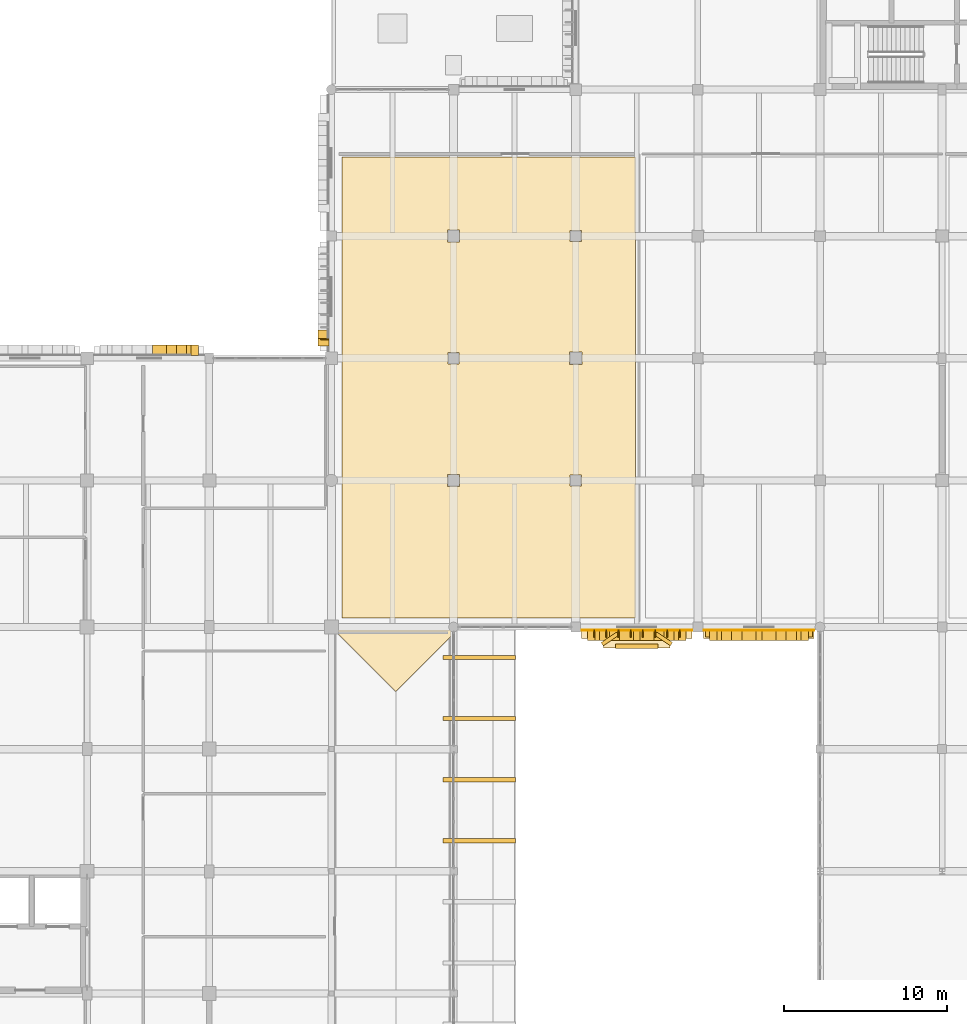
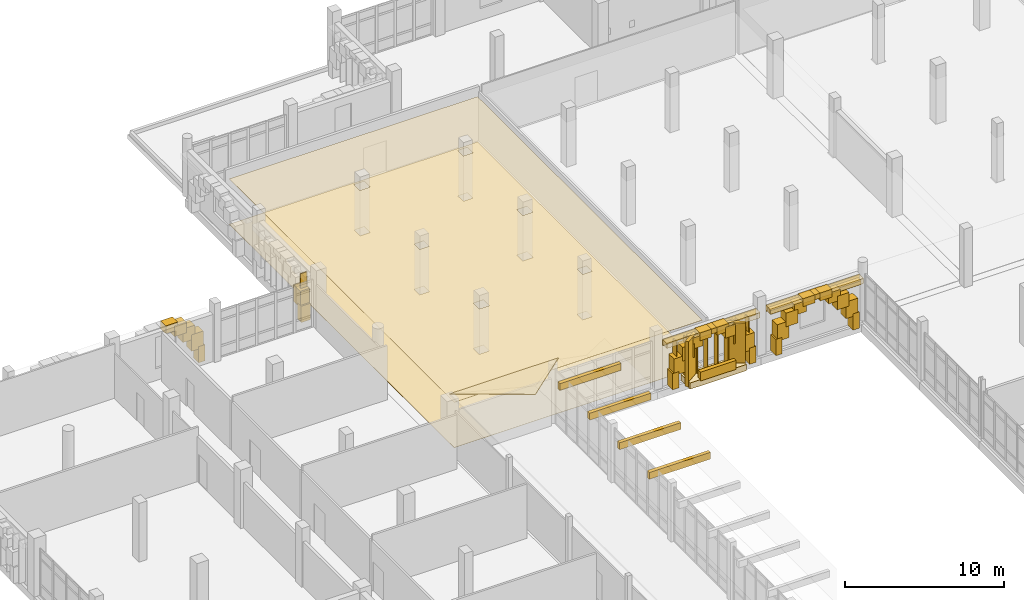
# One storey, part 116 of 128: 44 coverings, 10 shading devices.
"""IFC4 building model written with IfcOpenShell, lengths in metres."""

from ifc_helpers import new_model, si_unit, direction, frame, origin, origin_2d, place, context, subcontext, project, spatial, polyline, rectangle, outline, extrude, material, layer, layer_set, type_object, element, save


model = new_model("IFC4")

# Units and contexts
model_context = context("Model", 3, precision=1e-05, world=origin(), true_north=direction((0.0, 1.0)))
body_context = subcontext(model_context, "Body", "Model", "MODEL_VIEW")
ifc_project = project(units=[si_unit("LENGTHUNIT", "METRE"), si_unit("AREAUNIT", "SQUARE_METRE"), si_unit("VOLUMEUNIT", "CUBIC_METRE"), si_unit("PLANEANGLEUNIT", "RADIAN"), si_unit("MASSUNIT", "GRAM", prefix="KILO")], contexts=[model_context])

# Site, building, storey
site_placement = place(None, origin())
site = spatial("IfcSite", under=ifc_project, at=site_placement, CompositionType="ELEMENT")
building_placement = place(site_placement, origin())
building = spatial("IfcBuilding", under=site, at=building_placement, Name="Dalvernix Boulevard General Hospital", CompositionType="ELEMENT")
storey_placement = place(building_placement, frame((0.0, 0.0, 4.800048828125)))
storey = spatial("IfcBuildingStorey", under=building, at=storey_placement, Name="L01", CompositionType="ELEMENT", Elevation=4.800048828125)

# Coverings
ifc_material_1 = material(Name="Pressed Catalan clay brick and dressed limestone parabolic archivolt", Category="masonry")
ifc_layer_1 = layer(ifc_material_1, 0.419921875)
ifc_layer_set_1 = layer_set([ifc_layer_1], Name="Pressed Catalan clay brick and dressed limestone parabolic archivolt (COV-ARC-01)")
covering_type_1 = type_object("IfcCoveringType", Name="COV-ARC-01", PredefinedType="CLADDING", material=ifc_layer_set_1)
covering_1_placement = place(storey_placement, frame((21.612548828125, 93.485107421875, 0.0), z_axis=(0.0, 0.0, 1.0), x_axis=(1.0, 0.0, 0.0)))
element("IfcCovering", 1, at=covering_1_placement, inside=storey, type_object=covering_type_1, Name="L01 Catalan parabolic arch impost pier N 2-12-R", PredefinedType="CLADDING", context=body_context, shape_type="SweptSolid", body=[
    extrude(rectangle(XDim=0.4599609375, YDim=0.659912109375, at=origin_2d()), origin(), (0.0, 0.0, 1.0), 1.25),
])
covering_2_placement = place(storey_placement, frame((19.434814453125, 93.485107421875, 3.06884765625), z_axis=(0.0, 0.0, 1.0), x_axis=(1.0, 0.0, 0.0)))
element("IfcCovering", 2, at=covering_2_placement, inside=storey, type_object=covering_type_1, Name="L01 Catalan parabolic archivolt voussoir N 2-12-6", PredefinedType="CLADDING", context=body_context, shape_type="SweptSolid", body=[
    extrude(rectangle(XDim=0.8623046875, YDim=0.659912109375, at=origin_2d()), origin(), (0.0, 0.0, 1.0), 0.603271484375),
])
covering_3_placement = place(storey_placement, frame((20.056884765625, 93.485107421875, 2.62255859375), z_axis=(0.0, 0.0, 1.0), x_axis=(1.0, 0.0, 0.0)))
element("IfcCovering", 3, at=covering_3_placement, inside=storey, type_object=covering_type_1, Name="L01 Catalan parabolic archivolt voussoir N 2-12-7", PredefinedType="CLADDING", context=body_context, shape_type="SweptSolid", body=[
    extrude(rectangle(XDim=0.8623046875, YDim=0.659912109375, at=origin_2d()), origin(), (0.0, 0.0, 1.0), 0.826416015625),
])
covering_4_placement = place(storey_placement, frame((20.67919921875, 93.485107421875, 1.95263671875), z_axis=(0.0, 0.0, 1.0), x_axis=(1.0, 0.0, 0.0)))
element("IfcCovering", 4, at=covering_4_placement, inside=storey, type_object=covering_type_1, Name="L01 Catalan parabolic archivolt voussoir N 2-12-8", PredefinedType="CLADDING", context=body_context, shape_type="SweptSolid", body=[
    extrude(rectangle(XDim=0.8623046875, YDim=0.659912109375, at=origin_2d()), origin(), (0.0, 0.0, 1.0), 1.049560546875),
])
covering_5_placement = place(storey_placement, frame((21.301513671875, 93.485107421875, 1.06005859375), z_axis=(0.0, 0.0, 1.0), x_axis=(1.0, 0.0, 0.0)))
element("IfcCovering", 5, at=covering_5_placement, inside=storey, type_object=covering_type_1, Name="L01 Catalan parabolic archivolt voussoir N 2-12-9", PredefinedType="CLADDING", context=body_context, shape_type="SweptSolid", body=[
    extrude(rectangle(XDim=0.8623046875, YDim=0.659912109375, at=origin_2d()), origin(), (0.0, 0.0, 1.0), 1.272705078125),
])
covering_6_placement = place(storey_placement, frame((29.514892578125, 93.987548828125, 0.0), z_axis=(0.0, 0.0, 1.0), x_axis=(0.0, 1.0, 0.0)))
element("IfcCovering", 6, at=covering_6_placement, inside=storey, type_object=covering_type_1, Name="L01 Catalan parabolic arch impost pier W 4-12-L", PredefinedType="CLADDING", context=body_context, shape_type="SweptSolid", body=[
    extrude(rectangle(XDim=0.4599609375, YDim=0.659912109375, at=origin_2d()), origin(), (0.0, 0.0, 1.0), 1.25),
])
covering_7_placement = place(storey_placement, frame((29.514892578125, 94.298583984375, 1.06005859375), z_axis=(0.0, 0.0, 1.0), x_axis=(0.0, 1.0, 0.0)))
element("IfcCovering", 7, at=covering_7_placement, inside=storey, type_object=covering_type_1, Name="L01 Catalan parabolic archivolt voussoir W 4-12-1", PredefinedType="CLADDING", context=body_context, shape_type="SweptSolid", body=[
    extrude(rectangle(XDim=0.8623046875, YDim=0.659912109375, at=origin_2d()), origin(), (0.0, 0.0, 1.0), 1.272705078125),
])
for number, where, z_axis, x_axis, name in (
    (8, (51.550048828125, 76.014892578125, 0.0), (0.0, 0.0, 1.0), (-1.0, 0.0, 0.0), "L01 Catalan parabolic arch impost pier S 6-10-L"),
    (9, (45.949951171875, 76.014892578125, 0.0), (0.0, 0.0, 1.0), (-1.0, 0.0, 0.0), "L01 Catalan parabolic arch impost pier S 6-10-R"),
):
    element("IfcCovering", number, at=place(storey_placement, frame(where, z_axis=z_axis, x_axis=x_axis)), inside=storey, type_object=covering_type_1, Name=name, PredefinedType="CLADDING", context=body_context, shape_type="SweptSolid", body=[
        extrude(rectangle(XDim=0.4599609375, YDim=0.659912109375, at=origin_2d()), origin(), (0.0, 0.0, 1.0), 1.25),
    ])
covering_8_placement = place(storey_placement, frame((51.239013671875, 76.014892578125, 1.06005859375), z_axis=(0.0, 0.0, 1.0), x_axis=(-1.0, 0.0, 0.0)))
element("IfcCovering", 10, at=covering_8_placement, inside=storey, type_object=covering_type_1, Name="L01 Catalan parabolic archivolt voussoir S 6-10-1", PredefinedType="CLADDING", context=body_context, shape_type="SweptSolid", body=[
    extrude(rectangle(XDim=0.8623046875, YDim=0.659912109375, at=origin_2d()), origin(), (0.0, 0.0, 1.0), 1.272705078125),
])
covering_9_placement = place(storey_placement, frame((50.61669921875, 76.014892578125, 1.95263671875), z_axis=(0.0, 0.0, 1.0), x_axis=(-1.0, 0.0, 0.0)))
element("IfcCovering", 11, at=covering_9_placement, inside=storey, type_object=covering_type_1, Name="L01 Catalan parabolic archivolt voussoir S 6-10-2", PredefinedType="CLADDING", context=body_context, shape_type="SweptSolid", body=[
    extrude(rectangle(XDim=0.8623046875, YDim=0.659912109375, at=origin_2d()), origin(), (0.0, 0.0, 1.0), 1.049560546875),
])
covering_10_placement = place(storey_placement, frame((49.994384765625, 76.014892578125, 2.62255859375), z_axis=(0.0, 0.0, 1.0), x_axis=(-1.0, 0.0, 0.0)))
element("IfcCovering", 12, at=covering_10_placement, inside=storey, type_object=covering_type_1, Name="L01 Catalan parabolic archivolt voussoir S 6-10-3", PredefinedType="CLADDING", context=body_context, shape_type="SweptSolid", body=[
    extrude(rectangle(XDim=0.8623046875, YDim=0.659912109375, at=origin_2d()), origin(), (0.0, 0.0, 1.0), 0.826416015625),
])
covering_11_placement = place(storey_placement, frame((49.372314453125, 76.014892578125, 3.06884765625), z_axis=(0.0, 0.0, 1.0), x_axis=(-1.0, 0.0, 0.0)))
element("IfcCovering", 13, at=covering_11_placement, inside=storey, type_object=covering_type_1, Name="L01 Catalan parabolic archivolt voussoir S 6-10-4", PredefinedType="CLADDING", context=body_context, shape_type="SweptSolid", body=[
    extrude(rectangle(XDim=0.8623046875, YDim=0.659912109375, at=origin_2d()), origin(), (0.0, 0.0, 1.0), 0.603271484375),
])
covering_12_placement = place(storey_placement, frame((48.75, 76.014892578125, 3.2919921875), z_axis=(0.0, 0.0, 1.0), x_axis=(-1.0, 0.0, 0.0)))
element("IfcCovering", 14, at=covering_12_placement, inside=storey, type_object=covering_type_1, Name="L01 Catalan parabolic archivolt voussoir S 6-10-5", PredefinedType="CLADDING", context=body_context, shape_type="SweptSolid", body=[
    extrude(rectangle(XDim=0.8623046875, YDim=0.659912109375, at=origin_2d()), origin(), (0.0, 0.0, 1.0), 0.3798828125),
])
covering_13_placement = place(storey_placement, frame((48.127685546875, 76.014892578125, 3.06884765625), z_axis=(0.0, 0.0, 1.0), x_axis=(-1.0, 0.0, 0.0)))
element("IfcCovering", 15, at=covering_13_placement, inside=storey, type_object=covering_type_1, Name="L01 Catalan parabolic archivolt voussoir S 6-10-6", PredefinedType="CLADDING", context=body_context, shape_type="SweptSolid", body=[
    extrude(rectangle(XDim=0.8623046875, YDim=0.659912109375, at=origin_2d()), origin(), (0.0, 0.0, 1.0), 0.603271484375),
])
covering_14_placement = place(storey_placement, frame((47.505615234375, 76.014892578125, 2.62255859375), z_axis=(0.0, 0.0, 1.0), x_axis=(-1.0, 0.0, 0.0)))
element("IfcCovering", 16, at=covering_14_placement, inside=storey, type_object=covering_type_1, Name="L01 Catalan parabolic archivolt voussoir S 6-10-7", PredefinedType="CLADDING", context=body_context, shape_type="SweptSolid", body=[
    extrude(rectangle(XDim=0.8623046875, YDim=0.659912109375, at=origin_2d()), origin(), (0.0, 0.0, 1.0), 0.826416015625),
])
covering_15_placement = place(storey_placement, frame((46.88330078125, 76.014892578125, 1.95263671875), z_axis=(0.0, 0.0, 1.0), x_axis=(-1.0, 0.0, 0.0)))
element("IfcCovering", 17, at=covering_15_placement, inside=storey, type_object=covering_type_1, Name="L01 Catalan parabolic archivolt voussoir S 6-10-8", PredefinedType="CLADDING", context=body_context, shape_type="SweptSolid", body=[
    extrude(rectangle(XDim=0.8623046875, YDim=0.659912109375, at=origin_2d()), origin(), (0.0, 0.0, 1.0), 1.049560546875),
])
covering_16_placement = place(storey_placement, frame((46.260986328125, 76.014892578125, 1.06005859375), z_axis=(0.0, 0.0, 1.0), x_axis=(-1.0, 0.0, 0.0)))
element("IfcCovering", 18, at=covering_16_placement, inside=storey, type_object=covering_type_1, Name="L01 Catalan parabolic archivolt voussoir S 6-10-9", PredefinedType="CLADDING", context=body_context, shape_type="SweptSolid", body=[
    extrude(rectangle(XDim=0.8623046875, YDim=0.659912109375, at=origin_2d()), origin(), (0.0, 0.0, 1.0), 1.272705078125),
])
for number, where, z_axis, x_axis, name in (
    (19, (59.050048828125, 76.014892578125, 0.0), (0.0, 0.0, 1.0), (-1.0, 0.0, 0.0), "L01 Catalan parabolic arch impost pier S 7-10-L"),
    (20, (53.449951171875, 76.014892578125, 0.0), (0.0, 0.0, 1.0), (-1.0, 0.0, 0.0), "L01 Catalan parabolic arch impost pier S 7-10-R"),
):
    element("IfcCovering", number, at=place(storey_placement, frame(where, z_axis=z_axis, x_axis=x_axis)), inside=storey, type_object=covering_type_1, Name=name, PredefinedType="CLADDING", context=body_context, shape_type="SweptSolid", body=[
        extrude(rectangle(XDim=0.4599609375, YDim=0.659912109375, at=origin_2d()), origin(), (0.0, 0.0, 1.0), 1.25),
    ])
covering_17_placement = place(storey_placement, frame((58.739013671875, 76.014892578125, 1.06005859375), z_axis=(0.0, 0.0, 1.0), x_axis=(-1.0, 0.0, 0.0)))
element("IfcCovering", 21, at=covering_17_placement, inside=storey, type_object=covering_type_1, Name="L01 Catalan parabolic archivolt voussoir S 7-10-1", PredefinedType="CLADDING", context=body_context, shape_type="SweptSolid", body=[
    extrude(rectangle(XDim=0.8623046875, YDim=0.659912109375, at=origin_2d()), origin(), (0.0, 0.0, 1.0), 1.272705078125),
])
covering_18_placement = place(storey_placement, frame((58.11669921875, 76.014892578125, 1.95263671875), z_axis=(0.0, 0.0, 1.0), x_axis=(-1.0, 0.0, 0.0)))
element("IfcCovering", 22, at=covering_18_placement, inside=storey, type_object=covering_type_1, Name="L01 Catalan parabolic archivolt voussoir S 7-10-2", PredefinedType="CLADDING", context=body_context, shape_type="SweptSolid", body=[
    extrude(rectangle(XDim=0.8623046875, YDim=0.659912109375, at=origin_2d()), origin(), (0.0, 0.0, 1.0), 1.049560546875),
])
covering_19_placement = place(storey_placement, frame((57.494384765625, 76.014892578125, 2.62255859375), z_axis=(0.0, 0.0, 1.0), x_axis=(-1.0, 0.0, 0.0)))
element("IfcCovering", 23, at=covering_19_placement, inside=storey, type_object=covering_type_1, Name="L01 Catalan parabolic archivolt voussoir S 7-10-3", PredefinedType="CLADDING", context=body_context, shape_type="SweptSolid", body=[
    extrude(rectangle(XDim=0.8623046875, YDim=0.659912109375, at=origin_2d()), origin(), (0.0, 0.0, 1.0), 0.826416015625),
])
covering_20_placement = place(storey_placement, frame((56.872314453125, 76.014892578125, 3.06884765625), z_axis=(0.0, 0.0, 1.0), x_axis=(-1.0, 0.0, 0.0)))
element("IfcCovering", 24, at=covering_20_placement, inside=storey, type_object=covering_type_1, Name="L01 Catalan parabolic archivolt voussoir S 7-10-4", PredefinedType="CLADDING", context=body_context, shape_type="SweptSolid", body=[
    extrude(rectangle(XDim=0.8623046875, YDim=0.659912109375, at=origin_2d()), origin(), (0.0, 0.0, 1.0), 0.603271484375),
])
covering_21_placement = place(storey_placement, frame((56.25, 76.014892578125, 3.2919921875), z_axis=(0.0, 0.0, 1.0), x_axis=(-1.0, 0.0, 0.0)))
element("IfcCovering", 25, at=covering_21_placement, inside=storey, type_object=covering_type_1, Name="L01 Catalan parabolic archivolt voussoir S 7-10-5", PredefinedType="CLADDING", context=body_context, shape_type="SweptSolid", body=[
    extrude(rectangle(XDim=0.8623046875, YDim=0.659912109375, at=origin_2d()), origin(), (0.0, 0.0, 1.0), 0.3798828125),
])
covering_22_placement = place(storey_placement, frame((55.627685546875, 76.014892578125, 3.06884765625), z_axis=(0.0, 0.0, 1.0), x_axis=(-1.0, 0.0, 0.0)))
element("IfcCovering", 26, at=covering_22_placement, inside=storey, type_object=covering_type_1, Name="L01 Catalan parabolic archivolt voussoir S 7-10-6", PredefinedType="CLADDING", context=body_context, shape_type="SweptSolid", body=[
    extrude(rectangle(XDim=0.8623046875, YDim=0.659912109375, at=origin_2d()), origin(), (0.0, 0.0, 1.0), 0.603271484375),
])
covering_23_placement = place(storey_placement, frame((55.005615234375, 76.014892578125, 2.62255859375), z_axis=(0.0, 0.0, 1.0), x_axis=(-1.0, 0.0, 0.0)))
element("IfcCovering", 27, at=covering_23_placement, inside=storey, type_object=covering_type_1, Name="L01 Catalan parabolic archivolt voussoir S 7-10-7", PredefinedType="CLADDING", context=body_context, shape_type="SweptSolid", body=[
    extrude(rectangle(XDim=0.8623046875, YDim=0.659912109375, at=origin_2d()), origin(), (0.0, 0.0, 1.0), 0.826416015625),
])
covering_24_placement = place(storey_placement, frame((54.38330078125, 76.014892578125, 1.95263671875), z_axis=(0.0, 0.0, 1.0), x_axis=(-1.0, 0.0, 0.0)))
element("IfcCovering", 28, at=covering_24_placement, inside=storey, type_object=covering_type_1, Name="L01 Catalan parabolic archivolt voussoir S 7-10-8", PredefinedType="CLADDING", context=body_context, shape_type="SweptSolid", body=[
    extrude(rectangle(XDim=0.8623046875, YDim=0.659912109375, at=origin_2d()), origin(), (0.0, 0.0, 1.0), 1.049560546875),
])
covering_25_placement = place(storey_placement, frame((53.760986328125, 76.014892578125, 1.06005859375), z_axis=(0.0, 0.0, 1.0), x_axis=(-1.0, 0.0, 0.0)))
element("IfcCovering", 29, at=covering_25_placement, inside=storey, type_object=covering_type_1, Name="L01 Catalan parabolic archivolt voussoir S 7-10-9", PredefinedType="CLADDING", context=body_context, shape_type="SweptSolid", body=[
    extrude(rectangle(XDim=0.8623046875, YDim=0.659912109375, at=origin_2d()), origin(), (0.0, 0.0, 1.0), 1.272705078125),
])
ifc_material_2 = material(Name="Polychrome glazed Catalan trencadis ceramic faceted bay spandrel")
ifc_layer_2 = layer(ifc_material_2, 0.280029296875)
ifc_layer_set_2 = layer_set([ifc_layer_2], Name="Polychrome glazed Catalan trencadis ceramic faceted bay spandrel (COV-BAY-01)")
covering_type_2 = type_object("IfcCoveringType", Name="COV-BAY-01", PredefinedType="CLADDING", material=ifc_layer_set_2)
covering_26_placement = place(storey_placement, frame((48.75, 75.31494140625, 0.3798828125), z_axis=(0.0, 0.0, 1.0), x_axis=(-1.0, 0.0, 0.0)))
element("IfcCovering", 30, at=covering_26_placement, inside=storey, type_object=covering_type_2, Name="L01 projecting faceted trencadis bay spandrel S 6-10", PredefinedType="CLADDING", context=body_context, shape_type="SweptSolid", body=[
    extrude(rectangle(XDim=2.60009765625, YDim=0.280029296875, at=origin_2d()), origin(), (0.0, 0.0, 1.0), 0.679931640625),
])
for number, where, z_axis, x_axis, name in (
    (31, (50.39990234375, 75.764892578125, 0.080078125), (0.0, 0.0, 1.0), (-0.829037572555, 0.559192903471, 0.0), "L01 projecting faceted Catalan bay cheek S 6-10-L"),
    (32, (47.10009765625, 75.764892578125, 0.080078125), (0.0, 0.0, 1.0), (-0.829037572555, -0.559192903471, 0.0), "L01 projecting faceted Catalan bay cheek S 6-10-R"),
):
    element("IfcCovering", number, at=place(storey_placement, frame(where, z_axis=z_axis, x_axis=x_axis)), inside=storey, type_object=covering_type_2, Name=name, PredefinedType="CLADDING", context=body_context, shape_type="SweptSolid", body=[
        extrude(rectangle(XDim=1.14990234375, YDim=0.239990234375, at=origin_2d()), origin(), (0.0, 0.0, 1.0), 3.469970703125),
    ])
ifc_material_3 = material(Name="Antimicrobial acoustic mineral-fibre suspended ceiling")
ifc_layer_3 = layer(ifc_material_3, 0.02490234375)
ifc_layer_set_3 = layer_set([ifc_layer_3], Name="Antimicrobial acoustic mineral-fibre suspended ceiling (COV-CEIL-01)")
covering_type_3 = type_object("IfcCoveringType", Name="COV-CEIL-01", PredefinedType="CEILING", material=ifc_layer_set_3)
covering_27_placement = place(storey_placement, frame((0.0, 0.0, 3.474853515625)))
element("IfcCovering", 33, at=covering_27_placement, inside=storey, type_object=covering_type_3, Name="L01 Blood Bank and Transfusion Laboratory hygienic suspended ceiling", PredefinedType="CEILING", context=body_context, shape_type="SweptSolid", body=[
    extrude(outline(polyline([(30.64990234375, 105.35009765625), (48.683349609375, 105.35009765625), (48.683349609375, 77.050048828125), (30.64990234375, 77.050048828125), (30.64990234375, 105.35009765625)]), holes=[polyline([(37.1298828125, 85.8701171875), (37.1298828125, 85.1298828125), (37.8701171875, 85.1298828125), (37.8701171875, 85.8701171875), (37.1298828125, 85.8701171875)]), polyline([(37.844970703125, 93.344970703125), (37.155029296875, 93.344970703125), (37.155029296875, 92.655029296875), (37.844970703125, 92.655029296875), (37.844970703125, 93.344970703125)]), polyline([(37.8701171875, 100.1298828125), (37.8701171875, 100.8701171875), (37.1298828125, 100.8701171875), (37.1298828125, 100.1298828125), (37.8701171875, 100.1298828125)]), polyline([(44.655029296875, 85.155029296875), (45.344970703125, 85.155029296875), (45.344970703125, 85.844970703125), (44.655029296875, 85.844970703125), (44.655029296875, 85.155029296875)]), polyline([(44.6298828125, 93.3701171875), (44.6298828125, 92.6298828125), (45.3701171875, 92.6298828125), (45.3701171875, 93.3701171875), (44.6298828125, 93.3701171875)]), polyline([(45.344970703125, 100.844970703125), (44.655029296875, 100.844970703125), (44.655029296875, 100.155029296875), (45.344970703125, 100.155029296875), (45.344970703125, 100.844970703125)])]), origin(), (0.0, 0.0, 1.0), 0.025146484375),
])
ifc_material_4 = material(Name="Polychrome Catalan glazed ceramic spandrel tile panel")
ifc_layer_4 = layer(ifc_material_4, 0.044921875)
ifc_layer_set_4 = layer_set([ifc_layer_4], Name="Polychrome Catalan glazed ceramic spandrel tile panel (COV-CLD-01)")
covering_type_4 = type_object("IfcCoveringType", Name="COV-CLD-01", PredefinedType="CLADDING", material=ifc_layer_set_4)
for number, where, z_axis, x_axis, name in (
    (34, (48.75, 76.304931640625, 3.15478515625), (0.0, 0.0, 1.0), (-1.0, 0.0, 0.0), "L01 polychrome ceramic spandrel S 6-10"),
    (35, (56.25, 76.304931640625, 3.15478515625), (0.0, 0.0, 1.0), (-1.0, 0.0, 0.0), "L01 polychrome ceramic spandrel S 7-10"),
):
    element("IfcCovering", number, at=place(storey_placement, frame(where, z_axis=z_axis, x_axis=x_axis)), inside=storey, type_object=covering_type_4, Name=name, PredefinedType="CLADDING", context=body_context, shape_type="SweptSolid", body=[
        extrude(rectangle(XDim=6.780029296875, YDim=0.044921875, at=origin_2d()), origin(), (0.0, 0.0, 1.0), 0.449951171875),
    ])
ifc_material_5 = material(Name="Dressed ochre limestone classical plinth, stringcourse and corbelled cornice", Category="masonry")
ifc_layer_5 = layer(ifc_material_5, 0.449951171875)
ifc_layer_set_5 = layer_set([ifc_layer_5], Name="Dressed ochre limestone classical plinth, stringcourse and corbelled cornice (COV-CRN-01)")
covering_type_5 = type_object("IfcCoveringType", Name="COV-CRN-01", PredefinedType="CLADDING", material=ifc_layer_set_5)
covering_28_placement = place(storey_placement, frame((48.75, 76.06494140625, 3.22998046875), z_axis=(0.0, 0.0, 1.0), x_axis=(-1.0, 0.0, 0.0)))
element("IfcCovering", 36, at=covering_28_placement, inside=storey, type_object=covering_type_5, Name="L01 classical corbelled cornice frieze S 6-10", PredefinedType="CLADDING", context=body_context, shape_type="SweptSolid", body=[
    extrude(rectangle(XDim=6.780029296875, YDim=0.56005859375, at=origin_2d()), origin(), (0.0, 0.0, 1.0), 0.39990234375),
])
covering_29_placement = place(storey_placement, frame((48.75, 75.77001953125, 0.0), z_axis=(0.0, 0.0, 1.0), x_axis=(-1.0, 0.0, 0.0)))
element("IfcCovering", 37, at=covering_29_placement, inside=storey, type_object=covering_type_5, Name="L01 projecting Catalan bay corbel base S 6-10", PredefinedType="CLADDING", context=body_context, shape_type="SweptSolid", body=[
    extrude(rectangle(XDim=4.10009765625, YDim=1.14990234375, at=origin_2d()), origin(), (0.0, 0.0, 1.0), 0.47998046875),
])
covering_30_placement = place(storey_placement, frame((56.25, 76.06494140625, 3.22998046875), z_axis=(0.0, 0.0, 1.0), x_axis=(-1.0, 0.0, 0.0)))
element("IfcCovering", 38, at=covering_30_placement, inside=storey, type_object=covering_type_5, Name="L01 classical corbelled cornice frieze S 7-10", PredefinedType="CLADDING", context=body_context, shape_type="SweptSolid", body=[
    extrude(rectangle(XDim=6.780029296875, YDim=0.56005859375, at=origin_2d()), origin(), (0.0, 0.0, 1.0), 0.39990234375),
])
ifc_material_6 = material(Name="Seamless welded medical vinyl and polished terrazzo flooring")
ifc_layer_6 = layer(ifc_material_6, 0.014892578125)
ifc_layer_set_6 = layer_set([ifc_layer_6], Name="Seamless welded medical vinyl and polished terrazzo flooring (COV-FLR-01)")
covering_type_6 = type_object("IfcCoveringType", Name="COV-FLR-01", PredefinedType="FLOORING", material=ifc_layer_set_6)
covering_31_placement = place(storey_placement, origin())
element("IfcCovering", 39, at=covering_31_placement, inside=storey, type_object=covering_type_6, Name="L01 Blood Bank and Transfusion Laboratory seamless clinical flooring", PredefinedType="FLOORING", context=body_context, shape_type="SweptSolid", body=[
    extrude(outline(polyline([(30.64990234375, 105.35009765625), (48.683349609375, 105.35009765625), (48.683349609375, 77.050048828125), (30.64990234375, 77.050048828125), (30.64990234375, 105.35009765625)]), holes=[polyline([(37.1298828125, 85.8701171875), (37.1298828125, 85.1298828125), (37.8701171875, 85.1298828125), (37.8701171875, 85.8701171875), (37.1298828125, 85.8701171875)]), polyline([(37.844970703125, 93.344970703125), (37.155029296875, 93.344970703125), (37.155029296875, 92.655029296875), (37.844970703125, 92.655029296875), (37.844970703125, 93.344970703125)]), polyline([(37.8701171875, 100.1298828125), (37.8701171875, 100.8701171875), (37.1298828125, 100.8701171875), (37.1298828125, 100.1298828125), (37.8701171875, 100.1298828125)]), polyline([(44.655029296875, 85.155029296875), (45.344970703125, 85.155029296875), (45.344970703125, 85.844970703125), (44.655029296875, 85.844970703125), (44.655029296875, 85.155029296875)]), polyline([(44.6298828125, 93.3701171875), (44.6298828125, 92.6298828125), (45.3701171875, 92.6298828125), (45.3701171875, 93.3701171875), (44.6298828125, 93.3701171875)]), polyline([(45.344970703125, 100.844970703125), (44.655029296875, 100.844970703125), (44.655029296875, 100.155029296875), (45.344970703125, 100.155029296875), (45.344970703125, 100.844970703125)])]), origin(), (0.0, 0.0, 1.0), 0.014892578125),
])
ifc_material_7 = material(Name="Preservative-treated glulam GL28h eave outlooker corbel bracket", Category="wood")
ifc_layer_7 = layer(ifc_material_7, 0.239990234375)
ifc_layer_set_7 = layer_set([ifc_layer_7], Name="Preservative-treated glulam GL28h eave outlooker corbel bracket (COV-OUTLOOK-01)")
covering_type_7 = type_object("IfcCoveringType", Name="COV-OUTLOOK-01", PredefinedType="CLADDING", material=ifc_layer_set_7)
for number, where, z_axis, x_axis, name in (
    (40, (39.074951171875, 63.375, 3.78466796875), (0.0, 0.0, 1.0), (1.0, 0.0, 0.0), "V6W glulam eave outlooker corbel E-9"),
    (41, (39.074951171875, 67.125, 3.78466796875), (0.0, 0.0, 1.0), (1.0, 0.0, 0.0), "V6W glulam eave outlooker corbel E-10"),
    (42, (39.074951171875, 70.875, 3.78466796875), (0.0, 0.0, 1.0), (1.0, 0.0, 0.0), "V6W glulam eave outlooker corbel E-11"),
    (43, (39.074951171875, 74.625, 3.78466796875), (0.0, 0.0, 1.0), (1.0, 0.0, 0.0), "V6W glulam eave outlooker corbel E-12"),
):
    element("IfcCovering", number, at=place(storey_placement, frame(where, z_axis=z_axis, x_axis=x_axis)), inside=storey, type_object=covering_type_7, Name=name, PredefinedType="CLADDING", context=body_context, shape_type="SweptSolid", body=[
        extrude(rectangle(XDim=4.449951171875, YDim=0.260009765625, at=origin_2d()), origin(), (0.0, 0.0, 1.0), 0.52001953125),
    ])
ifc_material_8 = material(Name="Polychrome Catalan glazed terracotta roof tiles", Category="masonry")
ifc_layer_8 = layer(ifc_material_8, 0.050048828125)
ifc_layer_set_8 = layer_set([ifc_layer_8], Name="Polychrome Catalan glazed terracotta roof tiles (COV-ROOF-01)")
covering_type_8 = type_object("IfcCoveringType", Name="COV-ROOF-01", PredefinedType="ROOFING", material=ifc_layer_set_8)
covering_32_placement = place(storey_placement, frame((37.89990234375, 76.5, 4.71484375), z_axis=(0.0, 0.238536653022, 0.971133495028), x_axis=(-1.0, 0.0, 0.0)))
element("IfcCovering", 44, at=covering_32_placement, inside=storey, type_object=covering_type_8, Name="V6W glazed terracotta tile slope N", PredefinedType="ROOFING", context=body_context, shape_type="SweptSolid", body=[
    extrude(outline(polyline([(0.0, 0.0), (7.89990234375, 0.0), (3.949951171875, 4.06736168827282), (0.0, 0.0)])), origin(), (0.0, 0.0, -1.0), 0.050048828125),
])

# Shading devices
ifc_material_9 = material(Name="Preservative-treated West African iroko timber", Category="wood")
shading_device_type_1 = type_object("IfcShadingDeviceType", Name="SHD-FIN-01", PredefinedType="USERDEFINED", material=ifc_material_9)
for number, where, z_axis, x_axis, name in (
    (45, (29.594970703125, 94.16259765625, 0.1748046875), (0.0, 0.0, 1.0), (0.0, 1.0, 0.0), "L01 iroko brise-soleil fin 1"),
    (46, (51.375, 76.094970703125, 0.1748046875), (0.0, 0.0, 1.0), (-1.0, 0.0, 0.0), "L01 iroko brise-soleil fin 1"),
    (47, (50.625, 76.094970703125, 0.1748046875), (0.0, 0.0, 1.0), (-1.0, 0.0, 0.0), "L01 iroko brise-soleil fin 2"),
    (48, (49.875, 76.094970703125, 0.1748046875), (0.0, 0.0, 1.0), (-1.0, 0.0, 0.0), "L01 iroko brise-soleil fin 3"),
    (49, (49.125, 76.094970703125, 0.1748046875), (0.0, 0.0, 1.0), (-1.0, 0.0, 0.0), "L01 iroko brise-soleil fin 4"),
    (50, (48.375, 76.094970703125, 0.1748046875), (0.0, 0.0, 1.0), (-1.0, 0.0, 0.0), "L01 iroko brise-soleil fin 5"),
    (51, (47.625, 76.094970703125, 0.1748046875), (0.0, 0.0, 1.0), (-1.0, 0.0, 0.0), "L01 iroko brise-soleil fin 6"),
    (52, (46.875, 76.094970703125, 0.1748046875), (0.0, 0.0, 1.0), (-1.0, 0.0, 0.0), "L01 iroko brise-soleil fin 7"),
    (53, (46.125, 76.094970703125, 0.1748046875), (0.0, 0.0, 1.0), (-1.0, 0.0, 0.0), "L01 iroko brise-soleil fin 8"),
):
    element("IfcShadingDevice", number, at=place(storey_placement, frame(where, z_axis=z_axis, x_axis=x_axis)), inside=storey, type_object=shading_device_type_1, Name=name, ObjectType="FIN", PredefinedType="USERDEFINED", context=body_context, shape_type="SweptSolid", body=[
        extrude(rectangle(XDim=0.06494140625, YDim=0.47998046875, at=origin_2d()), origin(), (0.0, 0.0, 1.0), 3.280029296875),
    ])
ifc_material_10 = material(Name="Extruded aluminium solar jalousie louvre bank", Category="aluminium")
shading_device_type_2 = type_object("IfcShadingDeviceType", Name="SHD-JAL-01", PredefinedType="JALOUSIE", material=ifc_material_10)
shading_device_placement = place(storey_placement, frame((56.25, 76.114990234375, 3.1298828125), z_axis=(0.0, 0.0, 1.0), x_axis=(-1.0, 0.0, 0.0)))
element("IfcShadingDevice", 54, at=shading_device_placement, inside=storey, type_object=shading_device_type_2, Name="L01 solar jalousie louvre S 7-10", PredefinedType="JALOUSIE", context=body_context, shape_type="SweptSolid", body=[
    extrude(rectangle(XDim=6.580078125, YDim=0.449951171875, at=origin_2d()), origin(), (0.0, 0.0, 1.0), 0.300048828125),
])

save(model, "model.ifc")
